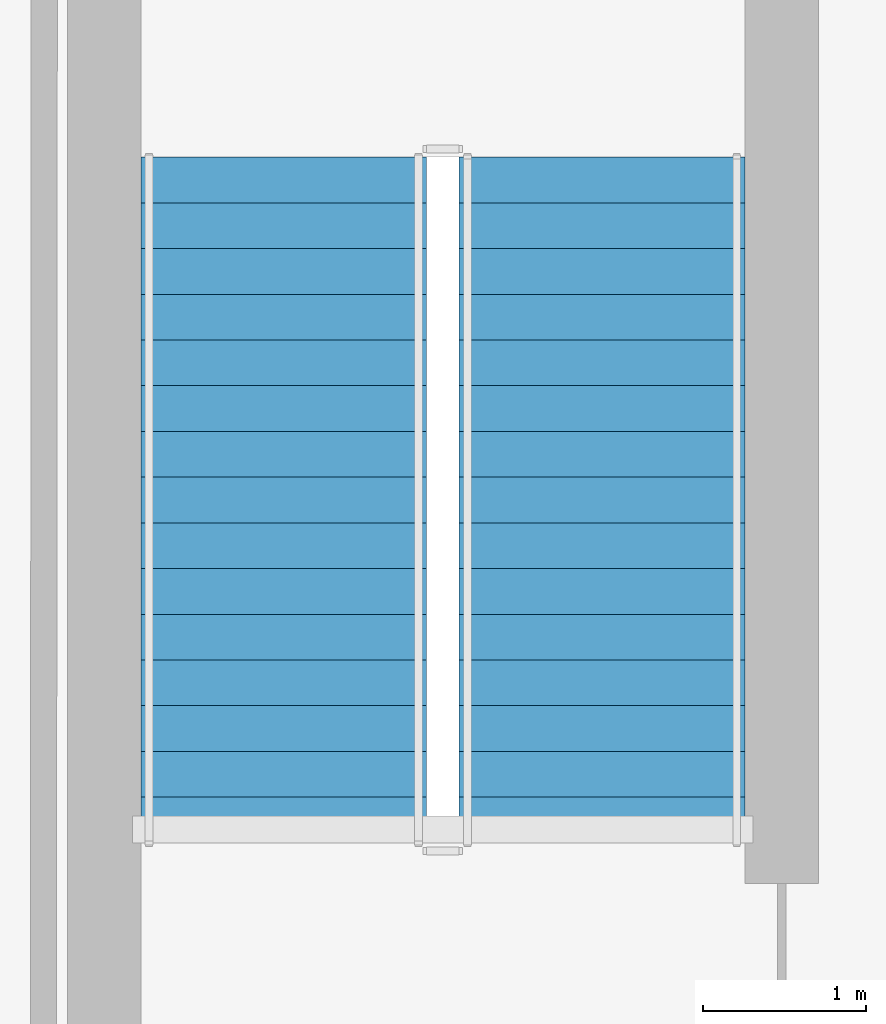
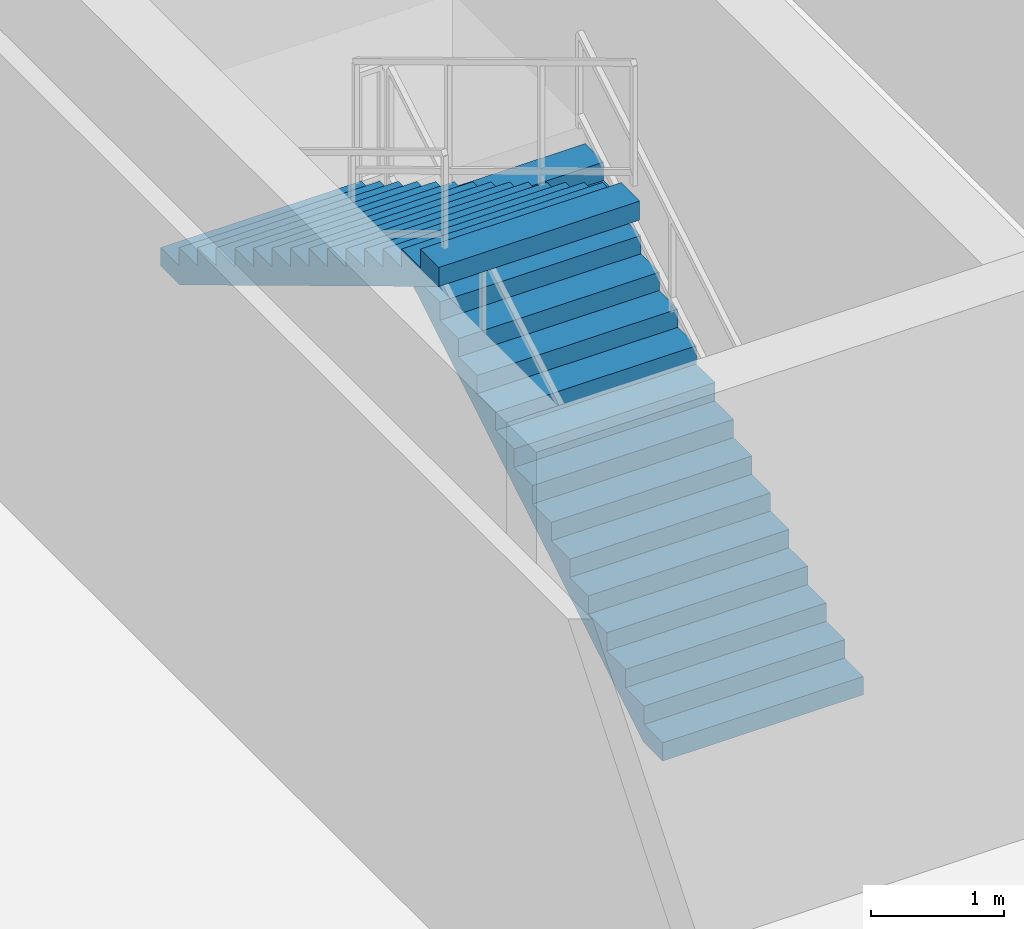
# One storey, part 9 of 13: 2 stair flights, 1 element without a shape of its own.
"""IFC4 building model written with IfcOpenShell, lengths in metres."""

from ifc_helpers import new_model, si_unit, direction, frame, origin, place, context, subcontext, project, spatial, polyline, outline, extrude, material, type_object, element, aggregate, save


model = new_model("IFC4")

# Units and contexts
model_context = context("Model", 3, precision=1e-05, world=origin(), true_north=direction((0.0, 1.0)))
body_context = subcontext(model_context, "Body", "Model", "MODEL_VIEW")
ifc_project = project(units=[si_unit("LENGTHUNIT", "METRE"), si_unit("AREAUNIT", "SQUARE_METRE"), si_unit("VOLUMEUNIT", "CUBIC_METRE"), si_unit("PLANEANGLEUNIT", "RADIAN"), si_unit("MASSUNIT", "GRAM", prefix="KILO")], contexts=[model_context])

# Site, building, storey
site_placement = place(None, origin())
site = spatial("IfcSite", under=ifc_project, at=site_placement, CompositionType="ELEMENT")
building_placement = place(site_placement, origin())
building = spatial("IfcBuilding", under=site, at=building_placement, Name="Qarnah Convention Tower", CompositionType="ELEMENT")
storey_placement = place(building_placement, origin())
storey = spatial("IfcBuildingStorey", under=building, at=storey_placement, Name="L00", CompositionType="ELEMENT", Elevation=0.0)

# Stair, stair flights
ifc_material = material(Name="Concrete C50/60", Category="concrete")
stair_type = type_object("IfcStairType", Name="STR-PODW", PredefinedType="HALF_TURN_STAIR", material=ifc_material)
stair_placement = place(storey_placement, origin())
stair = element("IfcStair", 1, at=stair_placement, inside=storey, type_object=stair_type, Name="L00 Podium north ballroom exit stair ST-6", PredefinedType="HALF_TURN_STAIR")
stair_flight_type = type_object("IfcStairFlightType", Name="FLT-PODW", PredefinedType="STRAIGHT", material=ifc_material)
stair_flight_1_placement = place(storey_placement, frame((36.125, 42.199951171875, 0.0), z_axis=(0.0, 0.0, 1.0), x_axis=(0.0, 1.0, 0.0)))
stair_flight_1 = element("IfcStairFlight", 2, at=stair_flight_1_placement, type_object=stair_flight_type, Name="ST-6 flight 1", NumberOfRisers=16, NumberOfTreads=15, PredefinedType="STRAIGHT", RiserHeight=0.16875, TreadLength=0.28, context=body_context, shape_type="SweptSolid", body=[
    extrude(outline(polyline([(0.0, 0.0), (0.0, 0.168701171875), (0.280029296875, 0.168701171875), (0.280029296875, 0.33740234375), (0.56005859375, 0.33740234375), (0.56005859375, 0.50634765625), (0.840087890625, 0.50634765625), (0.840087890625, 0.675048828125), (1.1201171875, 0.675048828125), (1.1201171875, 0.84375), (1.39990234375, 0.84375), (1.39990234375, 1.012451171875), (1.679931640625, 1.012451171875), (1.679931640625, 1.18115234375), (1.9599609375, 1.18115234375), (1.9599609375, 1.35009765625), (2.239990234375, 1.35009765625), (2.239990234375, 1.518798828125), (2.52001953125, 1.518798828125), (2.52001953125, 1.6875), (2.800048828125, 1.6875), (2.800048828125, 1.856201171875), (3.080078125, 1.856201171875), (3.080078125, 2.02490234375), (3.360107421875, 2.02490234375), (3.360107421875, 2.19384765625), (3.639892578125, 2.19384765625), (3.639892578125, 2.362548828125), (3.919921875, 2.362548828125), (3.919921875, 2.53125), (4.199951171875, 2.53125), (4.199951171875, 2.699951171875), (4.199951171875, 2.356201171875), (0.29052734375, 0.0), (0.0, 0.0)])), frame((0.0, 0.875, 0.0), z_axis=(0.0, -1.0, 0.0), x_axis=(1.0, 0.0, 0.0)), (0.0, 0.0, 1.0), 1.75),
])
stair_flight_2_placement = place(storey_placement, frame((34.175048828125, 46.39990234375, 2.699951171875), z_axis=(0.0, 0.0, 1.0), x_axis=(0.0, -1.0, 0.0)))
stair_flight_2 = element("IfcStairFlight", 3, at=stair_flight_2_placement, type_object=stair_flight_type, Name="ST-6 flight 2", NumberOfRisers=16, NumberOfTreads=15, PredefinedType="STRAIGHT", RiserHeight=0.16875, TreadLength=0.28, context=body_context, shape_type="SweptSolid", body=[
    extrude(outline(polyline([(0.0, 0.0), (0.0, 0.168701171875), (0.280029296875, 0.168701171875), (0.280029296875, 0.33740234375), (0.56005859375, 0.33740234375), (0.56005859375, 0.50634765625), (0.840087890625, 0.50634765625), (0.840087890625, 0.675048828125), (1.1201171875, 0.675048828125), (1.1201171875, 0.84375), (1.39990234375, 0.84375), (1.39990234375, 1.012451171875), (1.679931640625, 1.012451171875), (1.679931640625, 1.18115234375), (1.9599609375, 1.18115234375), (1.9599609375, 1.35009765625), (2.239990234375, 1.35009765625), (2.239990234375, 1.518798828125), (2.52001953125, 1.518798828125), (2.52001953125, 1.6875), (2.800048828125, 1.6875), (2.800048828125, 1.856201171875), (3.080078125, 1.856201171875), (3.080078125, 2.02490234375), (3.360107421875, 2.02490234375), (3.360107421875, 2.19384765625), (3.639892578125, 2.19384765625), (3.639892578125, 2.362548828125), (3.919921875, 2.362548828125), (3.919921875, 2.53125), (4.199951171875, 2.53125), (4.199951171875, 2.699951171875), (4.199951171875, 2.356201171875), (0.29052734375, 0.0), (0.0, 0.0)])), frame((0.0, 0.875, 0.0), z_axis=(0.0, -1.0, 0.0), x_axis=(1.0, 0.0, 0.0)), (0.0, 0.0, 1.0), 1.75),
])
aggregate(stair, [stair_flight_1, stair_flight_2])

save(model, "model.ifc")
